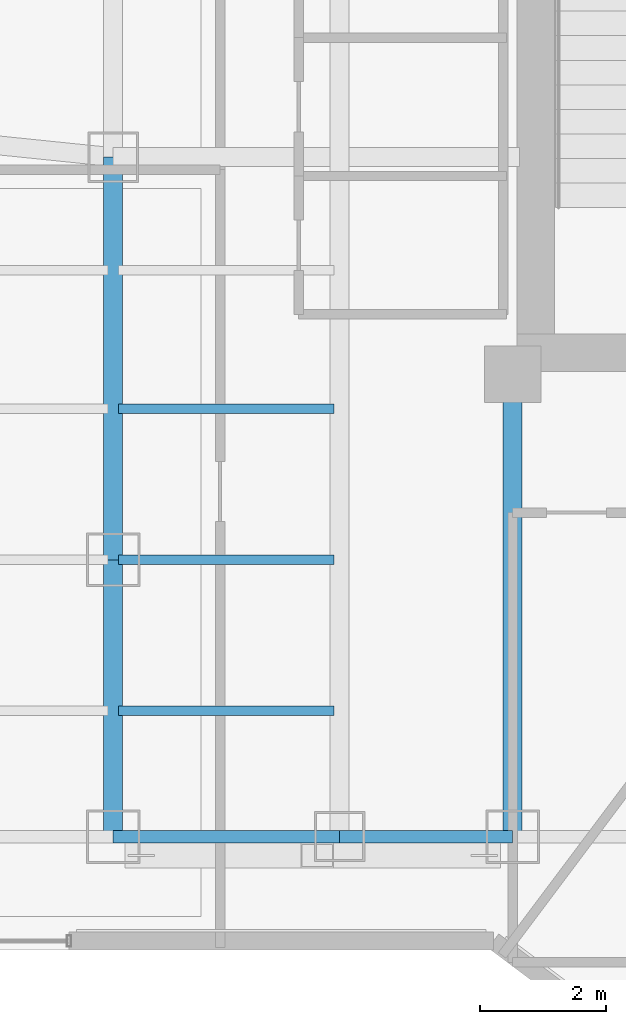
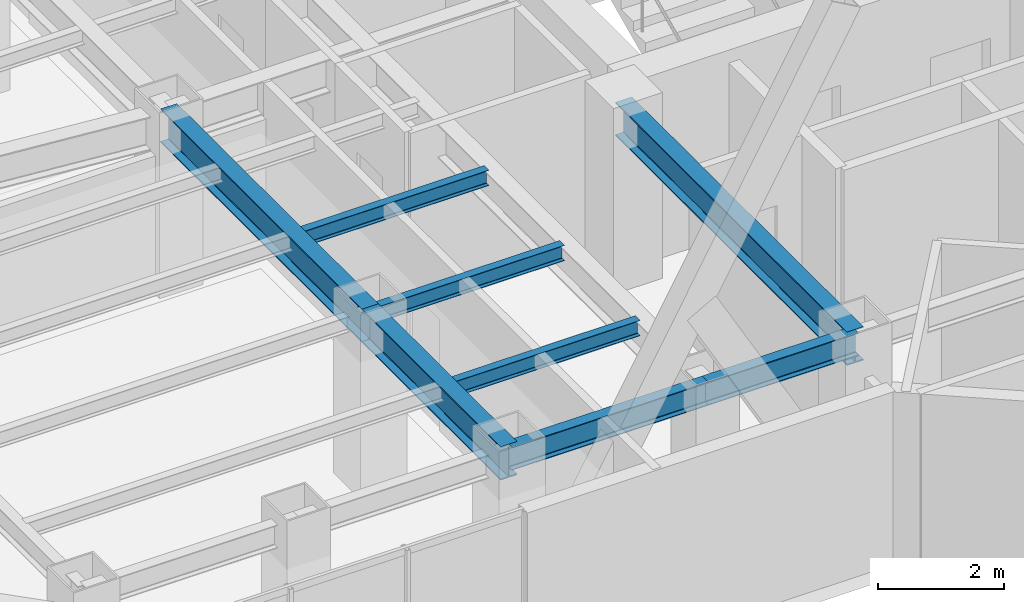
# One storey, part 5 of 27: 8 beams.
"""IFC4 building model written with IfcOpenShell, lengths in metres."""

from ifc_helpers import new_model, si_unit, direction, frame, origin, origin_2d, place, context, subcontext, project, spatial, i_section, extrude, material, material_profile, profile_set, type_object, element, save


model = new_model("IFC4")

# Units and contexts
model_context = context("Model", 3, precision=1e-05, world=origin(), true_north=direction((0.0, 1.0)))
body_context = subcontext(model_context, "Body", "Model", "MODEL_VIEW")
ifc_project = project(units=[si_unit("LENGTHUNIT", "METRE"), si_unit("AREAUNIT", "SQUARE_METRE"), si_unit("VOLUMEUNIT", "CUBIC_METRE"), si_unit("PLANEANGLEUNIT", "RADIAN"), si_unit("MASSUNIT", "GRAM", prefix="KILO")], contexts=[model_context])

# Site, building, storey
site_placement = place(None, origin())
site = spatial("IfcSite", under=ifc_project, at=site_placement, CompositionType="ELEMENT")
building_placement = place(site_placement, origin())
building = spatial("IfcBuilding", under=site, at=building_placement, Name="Hatsunagi Terrace Concourse", CompositionType="ELEMENT")
storey_placement = place(building_placement, frame((0.0, 0.0, 156.449951171875)))
storey = spatial("IfcBuildingStorey", under=building, at=storey_placement, Name="L41", CompositionType="ELEMENT", Elevation=156.449951171875)

# Beams
ifc_material_1 = material(Name="Steel SN490B", Category="steel")
ifc_material_profile_1 = material_profile(ifc_material_1, i_section(OverallWidth=0.14990234375, OverallDepth=0.300048828125, WebThickness=0.006591796875, FlangeThickness=0.009033203125, FilletRadius=0.010986328125, at=origin_2d()), Name="H-300x150x6.5x9")
ifc_profile_set_1 = profile_set([ifc_material_profile_1], Name="Steel SN490B")
beam_type_1 = type_object("IfcBeamType", Name="OfficeJoist_H_300x150", PredefinedType="JOIST", material=ifc_profile_set_1)
for number, where, z_axis, x_axis, name in (
    (1, (19.284912109375, 27.199951171875, 3.199951171875), (1.0, 0.0, 0.0), (0.0, 1.0, 0.0), "Beam J-03 J-L41-W-19-272"),
    (2, (19.284912109375, 29.60009765625, 3.199951171875), (1.0, 0.0, 0.0), (0.0, 1.0, 0.0), "Beam J-03 J-L41-W-19-296"),
    (3, (19.284912109375, 32.0, 3.199951171875), (1.0, 0.0, 0.0), (0.0, 1.0, 0.0), "Beam J-03 J-L41-W-19-320"),
):
    element("IfcBeam", number, at=place(storey_placement, frame(where, z_axis=z_axis, x_axis=x_axis)), inside=storey, type_object=beam_type_1, Name=name, PredefinedType="JOIST", context=body_context, shape_type="SweptSolid", body=[
        extrude(i_section(OverallWidth=0.14990234375, OverallDepth=0.300048828125, WebThickness=0.006591796875, FlangeThickness=0.009033203125, FilletRadius=0.010986328125, at=origin_2d()), origin(), (0.0, 0.0, 1.0), 3.43017578125),
    ])
ifc_material_2 = material(Name="Steel SN490B", Category="steel")
ifc_material_profile_2 = material_profile(ifc_material_2, i_section(OverallWidth=0.300048828125, OverallDepth=0.64990234375, WebThickness=0.012939453125, FlangeThickness=0.02197265625, FilletRadius=0.01806640625, at=origin_2d()), Name="H-650x300x13x22")
ifc_profile_set_2 = profile_set([ifc_material_profile_2], Name="Steel SN490B")
beam_type_2 = type_object("IfcBeamType", Name="OfficeLowGirder_H_650x300", PredefinedType="BEAM", material=ifc_profile_set_2)
beam_1_placement = place(storey_placement, frame((25.550048828125, 25.199951171875, 3.025146484375), z_axis=(0.0, 1.0, 0.0), x_axis=(-1.0, 0.0, 0.0)))
element("IfcBeam", 4, at=beam_1_placement, inside=storey, type_object=beam_type_2, Name="Beam G-05 BM-L41-K1CA", PredefinedType="BEAM", context=body_context, shape_type="SweptSolid", body=[
    extrude(i_section(OverallWidth=0.300048828125, OverallDepth=0.64990234375, WebThickness=0.012939453125, FlangeThickness=0.02197265625, FilletRadius=0.01806640625, at=origin_2d()), origin(), (0.0, 0.0, 1.0), 7.35009765625),
])
beam_2_placement = place(storey_placement, frame((19.199951171875, 25.199951171875, 3.025146484375), z_axis=(0.0, 1.0, 0.0), x_axis=(-1.0, 0.0, 0.0)))
element("IfcBeam", 5, at=beam_2_placement, inside=storey, type_object=beam_type_2, Name="Beam G-05 BM-L41-NS-19-25", PredefinedType="BEAM", context=body_context, shape_type="SweptSolid", body=[
    extrude(i_section(OverallWidth=0.300048828125, OverallDepth=0.64990234375, WebThickness=0.012939453125, FlangeThickness=0.02197265625, FilletRadius=0.01806640625, at=origin_2d()), origin(), (0.0, 0.0, 1.0), 4.400146484375),
])
beam_3_placement = place(storey_placement, frame((19.199951171875, 29.60009765625, 3.025146484375), z_axis=(0.0, 1.0, 0.0), x_axis=(-1.0, 0.0, 0.0)))
element("IfcBeam", 6, at=beam_3_placement, inside=storey, type_object=beam_type_2, Name="Beam G-05 BM-L41-NS-19-29", PredefinedType="BEAM", context=body_context, shape_type="SweptSolid", body=[
    extrude(i_section(OverallWidth=0.300048828125, OverallDepth=0.64990234375, WebThickness=0.012939453125, FlangeThickness=0.02197265625, FilletRadius=0.01806640625, at=origin_2d()), origin(), (0.0, 0.0, 1.0), 6.39990234375),
])
ifc_material_3 = material(Name="Steel SN490B", Category="steel")
ifc_material_profile_3 = material_profile(ifc_material_3, i_section(OverallWidth=0.199951171875, OverallDepth=0.449951171875, WebThickness=0.009033203125, FlangeThickness=0.013916015625, FilletRadius=0.01611328125, at=origin_2d()), Name="H-450x200x9x14")
ifc_profile_set_3 = profile_set([ifc_material_profile_3], Name="Steel SN490B")
beam_type_3 = type_object("IfcBeamType", Name="PerimeterSpandrel_H_450x200", PredefinedType="SPANDREL", material=ifc_profile_set_3)
beam_4_placement = place(storey_placement, frame((19.199951171875, 25.199951171875, 3.125), z_axis=(1.0, 0.0, 0.0), x_axis=(0.0, 1.0, 0.0)))
element("IfcBeam", 7, at=beam_4_placement, inside=storey, type_object=beam_type_3, Name="Beam SP-02 BM-L41-WS-19", PredefinedType="SPANDREL", context=body_context, shape_type="SweptSolid", body=[
    extrude(i_section(OverallWidth=0.199951171875, OverallDepth=0.449951171875, WebThickness=0.009033203125, FlangeThickness=0.013916015625, FilletRadius=0.01611328125, at=origin_2d()), origin(), (0.0, 0.0, 1.0), 3.60009765625),
])
beam_5_placement = place(storey_placement, frame((22.800048828125, 25.199951171875, 3.125), z_axis=(1.0, 0.0, 0.0), x_axis=(0.0, 1.0, 0.0)))
element("IfcBeam", 8, at=beam_5_placement, inside=storey, type_object=beam_type_3, Name="Beam SP-02 BM-L41-WS-22", PredefinedType="SPANDREL", context=body_context, shape_type="SweptSolid", body=[
    extrude(i_section(OverallWidth=0.199951171875, OverallDepth=0.449951171875, WebThickness=0.009033203125, FlangeThickness=0.013916015625, FilletRadius=0.01611328125, at=origin_2d()), origin(), (0.0, 0.0, 1.0), 2.75),
])

save(model, "model.ifc")
